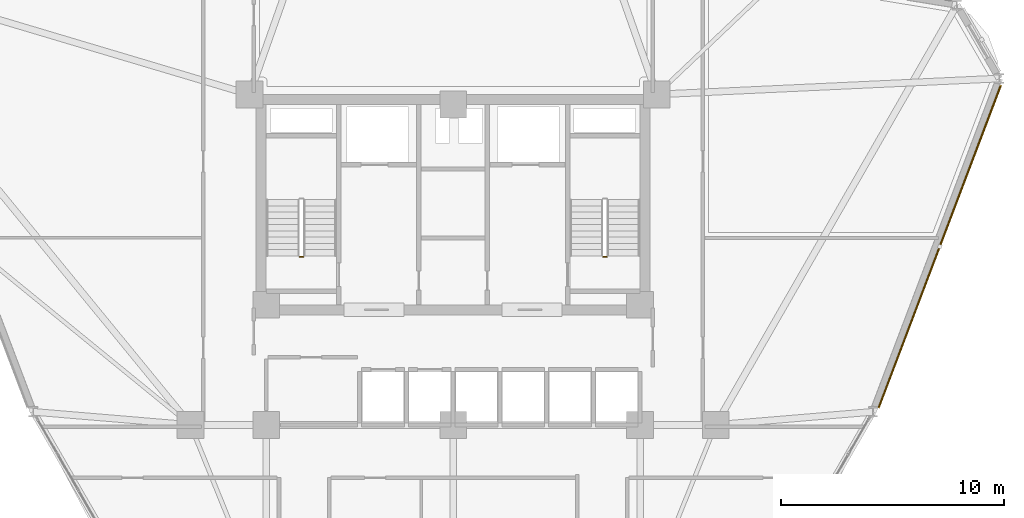
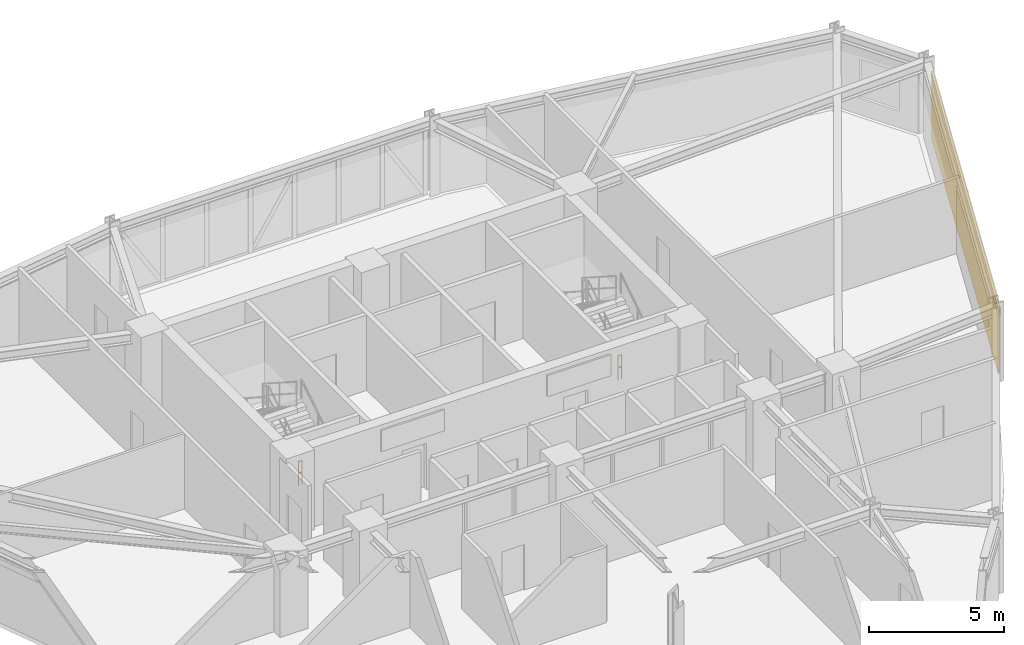
# One storey, part 15 of 17: 2 railings, 1 covering, 1 shading device.
"""IFC4 building model written with IfcOpenShell, lengths in metres."""

from ifc_helpers import new_model, si_unit, derived_unit, direction, frame, origin, origin_2d, place, context, subcontext, project, spatial, polyline, hollow_rectangle, circle, outline, extrude, source, transform, mapped, material, layer, layer_set, material_profile, profile_set, type_object, element, save


model = new_model("IFC4")

# Units and contexts
model_context = context("Model", 3, precision=1e-05, world=origin(), true_north=direction((0.0, 1.0)))
body_context = subcontext(model_context, "Body", "Model", "MODEL_VIEW")
ifc_project = project(units=[si_unit("LENGTHUNIT", "METRE"), si_unit("AREAUNIT", "SQUARE_METRE"), si_unit("VOLUMEUNIT", "CUBIC_METRE"), si_unit("PLANEANGLEUNIT", "RADIAN"), si_unit("MASSUNIT", "GRAM", prefix="KILO"), derived_unit("THERMALTRANSMITTANCEUNIT", [(si_unit("POWERUNIT", "WATT"), 1), (si_unit("LENGTHUNIT", "METRE"), -2), (si_unit("THERMODYNAMICTEMPERATUREUNIT", "KELVIN"), -1)])], contexts=[model_context])

# Site, building, storey
site_placement = place(None, origin())
site = spatial("IfcSite", under=ifc_project, at=site_placement, CompositionType="ELEMENT")
building_placement = place(site_placement, origin())
building = spatial("IfcBuilding", under=site, at=building_placement, Name="Korsvarv Bourse and Concert Hall", CompositionType="ELEMENT")
storey_placement = place(building_placement, frame((0.0, 0.0, 124.199951171875)))
storey = spatial("IfcBuildingStorey", under=building, at=storey_placement, Name="L31", CompositionType="ELEMENT", Elevation=124.199951171875)

# Covering
ifc_material_1 = material(Name="Warm iron-oxide extruded terracotta rainscreen tile", Category="ceramic")
ifc_layer = layer(ifc_material_1, 0.044921875)
ifc_layer_set = layer_set([ifc_layer], Name="Warm iron-oxide extruded terracotta rainscreen tile")
covering_type = type_object("IfcCoveringType", Name="COV-CLD-TC", PredefinedType="CLADDING", material=ifc_layer_set)
covering_placement = place(storey_placement, origin())
element("IfcCovering", 1, at=covering_placement, inside=storey, type_object=covering_type, Name="L31 fluted terracotta cladding panel EW-L31-B12", PredefinedType="CLADDING", context=body_context, shape_type="SweptSolid", body=[
    extrude(outline(polyline([(55.107177734375, 33.2509765625), (60.551513671875, 47.61083984375), (60.593505859375, 47.594970703125), (55.149169921875, 33.235107421875), (55.107177734375, 33.2509765625)])), origin(), (0.0, 0.0, 1.0), 2.679931640625),
])

# Railings
ifc_material_2 = material(Name="Painted Steel S355 stair well guardrail", Category="steel")
railing_type = type_object("IfcRailingType", Name="RL-ST-GRD", PredefinedType="GUARDRAIL", material=ifc_material_2)
for number, where, name in (
    (2, (29.260009765625, 39.949951171875, 0.0), "L31 ST-T1 stair guard 4"),
    (3, (42.89990234375, 39.949951171875, 0.0), "L31 ST-T2 stair guard 4"),
):
    element("IfcRailing", number, at=place(storey_placement, frame(where)), inside=storey, type_object=railing_type, Name=name, PredefinedType="GUARDRAIL", context=body_context, shape_type="SweptSolid", body=[
        extrude(circle(Radius=0.02392578125, at=origin_2d()), frame((0.0, 0.0, 1.076171875), z_axis=(-1.0, 0.0, 0.0), x_axis=(0.0, -1.0, 0.0)), (0.0, 0.0, 1.0), 0.159912109375),
        extrude(circle(Radius=0.02392578125, at=origin_2d()), frame((0.0, 0.0, 0.550048828125), z_axis=(-1.0, 0.0, 0.0), x_axis=(0.0, -1.0, 0.0)), (0.0, 0.0, 1.0), 0.159912109375),
        extrude(circle(Radius=0.02099609375, at=origin_2d()), origin(), (0.0, 0.0, 1.0), 1.052001953125),
        extrude(circle(Radius=0.02099609375, at=origin_2d()), frame((-0.159912109375, 0.0, 0.0)), (0.0, 0.0, 1.0), 1.052001953125),
    ])

# Shading device
ifc_material_3 = material(Name="Glazed extruded architectural terracotta", Category="ceramic")
ifc_material_profile = material_profile(ifc_material_3, hollow_rectangle(XDim=0.090087890625, YDim=0.260009765625, WallThickness=0.011962890625, at=origin_2d()), Name="TC-BAG 90x260")
ifc_profile_set = profile_set([ifc_material_profile], Name="Glazed extruded architectural terracotta")
shading_device_type = type_object("IfcShadingDeviceType", Name="SHD-BAG-1", PredefinedType="USERDEFINED", material=ifc_profile_set)
shared_shape = source(origin(), body_context, "Body", "SweptSolid", [
    extrude(hollow_rectangle(XDim=0.090087890625, YDim=0.260009765625, WallThickness=0.011962890625, at=origin_2d()), origin(), (0.0, 0.0, 1.0), 15.517333984375),
])
shading_device_placement = place(storey_placement, frame((55.1162109375, 33.162109375, 2.840087890625), z_axis=(0.354505776015, 0.935053824532, 0.0), x_axis=(-0.935053824532, 0.354505776015, 0.0)))
element("IfcShadingDevice", 4, at=shading_device_placement, inside=storey, type_object=shading_device_type, Name="L31 terracotta baguette sunshade EW-L31-B12", ObjectType="BAGUETTE", PredefinedType="USERDEFINED", context=body_context, shape_type="MappedRepresentation", body=[
    mapped(shared_shape, transform((0.0, 0.0, 0.0), scale=1.0)),
])

save(model, "model.ifc")
